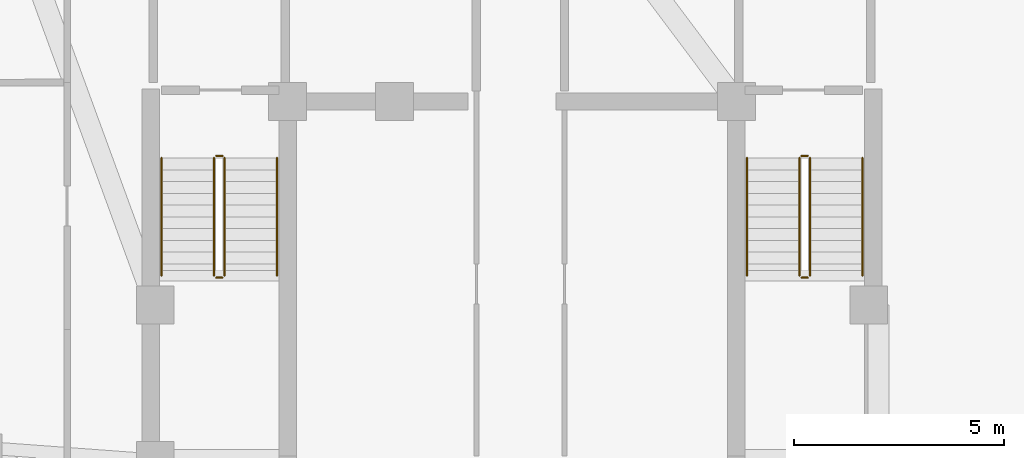
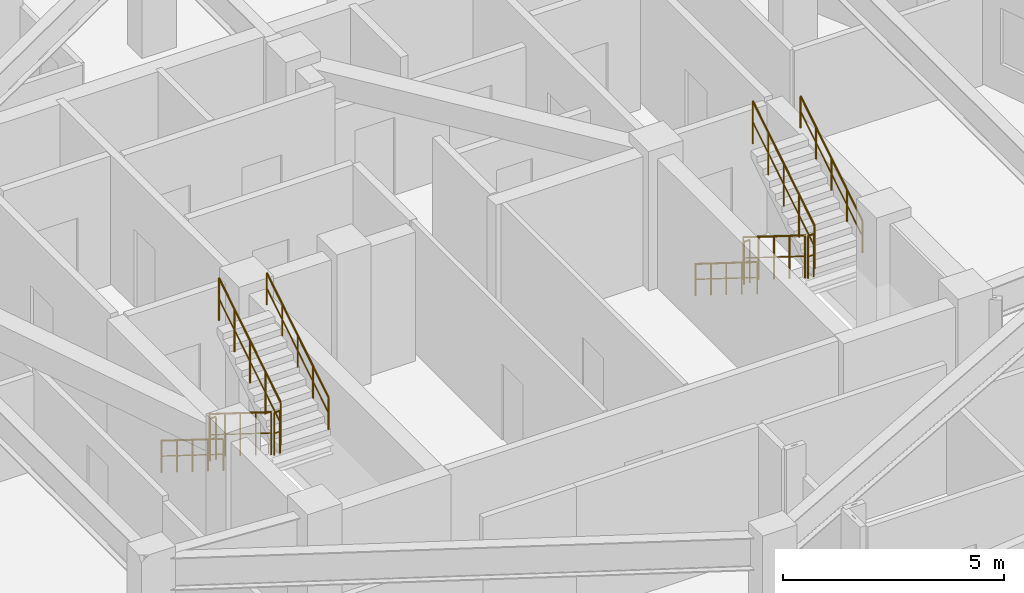
# One storey, part 9 of 9: 12 railings.
"""IFC4 building model written with IfcOpenShell, lengths in metres."""

import ifcopenshell
import ifcopenshell.guid

model = None  # the IFC model being written
_history = None  # IfcOwnerHistory: only IFC2X3 demands one
_inside = {}  # id of a spatial element -> (the spatial element, [elements in it])
_under = {}  # id of a project, library or spatial element -> (it, [spatial elements below it])
_declared = {}  # id of a project -> (the project, [libraries it declares])
_typed = {}  # id of a type object -> (the type object, [elements of that type])
_made_of = {}  # id of a material, layer set ... -> (it, [elements and type objects made of it])


def new_model(schema):
    """Start an empty IFC model of exactly this schema.

    Asked for "IFC4X3", IfcOpenShell would pick the latest addendum, in which some entities
    have other attributes; the version numbers below select the first issue.
    IFC2X3 requires an IfcOwnerHistory on every rooted entity: one is made here for all.
    """
    global model, _history
    if schema == "IFC4X3":
        model = ifcopenshell.file(schema_version=(4, 3, 0, 0))
    else:
        model = ifcopenshell.file(schema=schema)
    _inside.clear()
    _under.clear()
    _declared.clear()
    _typed.clear()
    _made_of.clear()
    _history = None
    if model.schema == "IFC2X3":
        org = make("IfcOrganization", Name="unknown")
        user = make(
            "IfcPersonAndOrganization",
            ThePerson=make("IfcPerson", FamilyName="unknown"),
            TheOrganization=org,
        )
        app = make(
            "IfcApplication",
            ApplicationDeveloper=org,
            Version="unknown",
            ApplicationFullName="unknown",
            ApplicationIdentifier="unknown",
        )
        _history = make(
            "IfcOwnerHistory",
            OwningUser=user,
            OwningApplication=app,
            ChangeAction="ADDED",
            CreationDate=0,
        )
    return model


def make(cls, **values):
    """One entity of the class cls with the attributes given. An attribute that is None is left unset."""
    return model.create_entity(
        cls, **{name: value for name, value in values.items() if value is not None}
    )


def rooted(cls, **values):
    """An entity with a GlobalId (a new one), such as an element, a storey or a relation."""
    return make(cls, GlobalId=ifcopenshell.guid.new(), OwnerHistory=_history, **values)


def si_unit(unit_type, name, prefix=None):
    """IfcSIUnit, for example si_unit("LENGTHUNIT", "METRE", prefix="MILLI")."""
    return make("IfcSIUnit", UnitType=unit_type, Prefix=prefix, Name=name)


def assignment(units):
    """IfcUnitAssignment: the units of a project."""
    return None if units is None else make("IfcUnitAssignment", Units=units)


def point(xyz):
    """IfcCartesianPoint."""
    return None if xyz is None else make("IfcCartesianPoint", Coordinates=xyz)


def direction(xyz):
    """IfcDirection."""
    return None if xyz is None else make("IfcDirection", DirectionRatios=xyz)


def frame(location, z_axis=None, x_axis=None):
    """IfcAxis2Placement3D, a coordinate frame: its origin and axes. An axis left out is left unset."""
    return make(
        "IfcAxis2Placement3D",
        Location=point(location),
        Axis=direction(z_axis),
        RefDirection=direction(x_axis),
    )


def frame_2d(location, x_axis=None):
    """IfcAxis2Placement2D, a coordinate frame in the plane: its origin and x axis."""
    return make(
        "IfcAxis2Placement2D", Location=point(location), RefDirection=direction(x_axis)
    )


def origin():
    """The frame at (0, 0, 0) with its axes left unset."""
    return frame((0.0, 0.0, 0.0))


def origin_2d():
    """The frame at (0, 0) in the plane with its x axis left unset."""
    return frame_2d((0.0, 0.0))


def place(relative_to, where):
    """IfcLocalPlacement: puts the frame where relative to a parent placement (None: the world)."""
    return make(
        "IfcLocalPlacement", PlacementRelTo=relative_to, RelativePlacement=where
    )


def context(
    kind, dimensions, precision=None, world=None, true_north=None, identifier=None
):
    """IfcGeometricRepresentationContext, for example the 3D "Model" context."""
    return make(
        "IfcGeometricRepresentationContext",
        ContextIdentifier=identifier,
        ContextType=kind,
        CoordinateSpaceDimension=dimensions,
        Precision=precision,
        WorldCoordinateSystem=world,
        TrueNorth=true_north,
    )


def subcontext(parent, identifier, kind, view, scale=None):
    """IfcGeometricRepresentationSubContext, for example "Body" below "Model"."""
    return make(
        "IfcGeometricRepresentationSubContext",
        ContextIdentifier=identifier,
        ContextType=kind,
        ParentContext=parent,
        TargetScale=scale,
        TargetView=view,
    )


def project(units=None, contexts=None):
    """IfcProject with its units and contexts."""
    return rooted(
        "IfcProject",
        Name="project",
        RepresentationContexts=contexts,
        UnitsInContext=assignment(units),
    )


def spatial(cls, under=None, at=None, **own):
    """A site, building, storey or space (cls), placed at a placement, below another one or the project."""
    s = rooted(cls, ObjectPlacement=at, **own)
    if under is not None:
        _under.setdefault(under.id(), (under, []))[1].append(s)
    return s


def profile(cls, at=None, kind="AREA", **sizes):
    """A parametric profile (cls). Its sizes go by their IFC names, for example OverallWidth=200.0."""
    return make(cls, ProfileType=kind, Position=at, **sizes)


def circle(**sizes):
    """IfcCircleProfileDef."""
    return profile("IfcCircleProfileDef", **sizes)


def extrude(swept, where, along, depth):
    """IfcExtrudedAreaSolid: the profile swept, set in the frame where, extruded along a direction by depth."""
    return make(
        "IfcExtrudedAreaSolid",
        SweptArea=swept,
        Position=where,
        ExtrudedDirection=direction(along),
        Depth=depth,
    )


def shape(context_of_items, identifier, shape_type, items):
    """IfcShapeRepresentation: the items that make up one representation, for example the "Body"."""
    return make(
        "IfcShapeRepresentation",
        ContextOfItems=context_of_items,
        RepresentationIdentifier=identifier,
        RepresentationType=shape_type,
        Items=items,
    )


def material(Name=None, Category=None):
    """IfcMaterial."""
    return make("IfcMaterial", Name=Name, Category=Category)


def made_of(thing, what):
    """Note that an element or type object is made of a material, layer set ...; save() writes the relation."""
    if what is not None:
        _made_of.setdefault(what.id(), (what, []))[1].append(thing)
    return thing


def type_object(cls, material=None, **own):
    """A type object (cls), such as IfcWallType, which elements share."""
    return made_of(rooted(cls, **own), material)


def element(
    cls,
    number,
    at=None,
    inside=None,
    cuts=None,
    type_object=None,
    material=None,
    context=None,
    identifier="Body",
    shape_type=None,
    held_by="IfcProductDefinitionShape",
    body=None,
    shapes=None,
    **own,
):
    """One element of the class cls, such as IfcWall. Its Tag is "e" and its number.

    at: its placement. inside: the storey or other place that contains it. cuts: it is an
    opening in that element (IfcRelVoidsElement). A single representation is given by context,
    identifier, shape_type and body (its items); several are given by shapes. held_by: the class
    of the entity that holds the representations. save() writes the other relations.
    """
    e = rooted(cls, Tag="e%d" % number, ObjectPlacement=at, **own)
    if body is not None:
        shapes = [shape(context, identifier, shape_type, body)]
    if shapes is not None:
        e.Representation = make(held_by, Representations=shapes)
    if inside is not None:
        _inside.setdefault(inside.id(), (inside, []))[1].append(e)
    if cuts is not None:
        rooted(
            "IfcRelVoidsElement", RelatingBuildingElement=cuts, RelatedOpeningElement=e
        )
    if type_object is not None:
        _typed.setdefault(type_object.id(), (type_object, []))[1].append(e)
    return made_of(e, material)


def aggregate(whole, parts):
    """IfcRelAggregates: a whole, such as a stair, and the parts it consists of."""
    return rooted("IfcRelAggregates", RelatingObject=whole, RelatedObjects=parts)


def save(model, path):
    """Write the relations noted so far, then the file.

    IfcRelAggregates (storeys below a building ...), IfcRelContainedInSpatialStructure (elements
    in a storey), IfcRelDefinesByType, IfcRelAssociatesMaterial and IfcRelDeclares: one each for
    every whole, place, type object, material and project.
    """
    for whole, parts in _under.values():
        aggregate(whole, parts)
    for where, things in _inside.values():
        rooted(
            "IfcRelContainedInSpatialStructure",
            RelatedElements=things,
            RelatingStructure=where,
        )
    for kind, things in _typed.values():
        rooted("IfcRelDefinesByType", RelatedObjects=things, RelatingType=kind)
    for what, things in _made_of.values():
        rooted("IfcRelAssociatesMaterial", RelatedObjects=things, RelatingMaterial=what)
    for by, libraries in _declared.values():
        rooted("IfcRelDeclares", RelatingContext=by, RelatedDefinitions=libraries)
    model.write(path)


model = new_model("IFC4")

# Units and contexts
model_context = context("Model", 3, precision=1e-05, world=origin(), true_north=direction((0.0, 1.0)))
body_context = subcontext(model_context, "Body", "Model", "MODEL_VIEW")
ifc_project = project(units=[si_unit("LENGTHUNIT", "METRE"), si_unit("AREAUNIT", "SQUARE_METRE"), si_unit("VOLUMEUNIT", "CUBIC_METRE"), si_unit("PLANEANGLEUNIT", "RADIAN"), si_unit("MASSUNIT", "GRAM", prefix="KILO")], contexts=[model_context])

# Site, building, storey
site_placement = place(None, origin())
site = spatial("IfcSite", under=ifc_project, at=site_placement, CompositionType="ELEMENT")
building_placement = place(site_placement, origin())
building = spatial("IfcBuilding", under=site, at=building_placement, Name="Miruveldt Soraemaru", CompositionType="ELEMENT")
storey_placement = place(building_placement, frame((0.0, 0.0, 275.10009765625)))
storey = spatial("IfcBuildingStorey", under=building, at=storey_placement, Name="L75", CompositionType="ELEMENT", Elevation=275.10009765625)

# Railings
ifc_material = material(Name="Steel S355 (355 MPa)", Category="steel")
railing_type_1 = type_object("IfcRailingType", Name="RAIL-HR-900", PredefinedType="HANDRAIL", material=ifc_material)
railing_1_placement = place(storey_placement, frame((35.64990234375, 42.699951171875, 0.1748046875)))
element("IfcRailing", 1, at=railing_1_placement, inside=storey, type_object=railing_type_1, Name="L75 ST-1 stair handrail 1", PredefinedType="HANDRAIL", context=body_context, shape_type="SweptSolid", body=[
    extrude(circle(Radius=0.02392578125, at=origin_2d()), frame((0.0, 0.0, 0.8759765625), z_axis=(0.0, -0.848002457836, 0.529992293815), x_axis=(1.0, 0.0, 0.0)), (0.0, 0.0, 1.0), 3.302001953125),
    extrude(circle(Radius=0.01611328125, at=origin_2d()), frame((0.0, 0.0, 0.449951171875), z_axis=(0.0, -0.848002457836, 0.529992293815), x_axis=(1.0, 0.0, 0.0)), (0.0, 0.0, 1.0), 3.302001953125),
    extrude(circle(Radius=0.02099609375, at=origin_2d()), origin(), (0.0, 0.0, 1.0), 0.851806640625),
    extrude(circle(Radius=0.02099609375, at=origin_2d()), frame((0.0, -0.699951171875, 0.4375)), (0.0, 0.0, 1.0), 0.851806640625),
    extrude(circle(Radius=0.02099609375, at=origin_2d()), frame((0.0, -1.39990234375, 0.875)), (0.0, 0.0, 1.0), 0.851806640625),
    extrude(circle(Radius=0.02099609375, at=origin_2d()), frame((0.0, -2.10009765625, 1.3125)), (0.0, 0.0, 1.0), 0.851806640625),
    extrude(circle(Radius=0.02099609375, at=origin_2d()), frame((0.0, -2.800048828125, 1.75)), (0.0, 0.0, 1.0), 0.851806640625),
])
railing_2_placement = place(storey_placement, frame((38.39990234375, 39.89990234375, 2.099853515625)))
element("IfcRailing", 2, at=railing_2_placement, inside=storey, type_object=railing_type_1, Name="L75 ST-1 stair handrail 2", PredefinedType="HANDRAIL", context=body_context, shape_type="SweptSolid", body=[
    extrude(circle(Radius=0.02392578125, at=origin_2d()), frame((0.0, 0.0, 0.8759765625), z_axis=(0.0, 0.848002457836, 0.529992293815), x_axis=(-1.0, 0.0, 0.0)), (0.0, 0.0, 1.0), 3.302001953125),
    extrude(circle(Radius=0.01611328125, at=origin_2d()), frame((0.0, 0.0, 0.449951171875), z_axis=(0.0, 0.848002457836, 0.529992293815), x_axis=(-1.0, 0.0, 0.0)), (0.0, 0.0, 1.0), 3.302001953125),
    extrude(circle(Radius=0.02099609375, at=origin_2d()), origin(), (0.0, 0.0, 1.0), 0.851806640625),
    extrude(circle(Radius=0.02099609375, at=origin_2d()), frame((0.0, 0.699951171875, 0.4375)), (0.0, 0.0, 1.0), 0.851806640625),
    extrude(circle(Radius=0.02099609375, at=origin_2d()), frame((0.0, 1.39990234375, 0.875)), (0.0, 0.0, 1.0), 0.851806640625),
    extrude(circle(Radius=0.02099609375, at=origin_2d()), frame((0.0, 2.10009765625, 1.3125)), (0.0, 0.0, 1.0), 0.851806640625),
    extrude(circle(Radius=0.02099609375, at=origin_2d()), frame((0.0, 2.800048828125, 1.75)), (0.0, 0.0, 1.0), 0.851806640625),
])
railing_3_placement = place(storey_placement, frame((49.60009765625, 42.699951171875, 0.1748046875)))
element("IfcRailing", 3, at=railing_3_placement, inside=storey, type_object=railing_type_1, Name="L75 ST-2 stair handrail 1", PredefinedType="HANDRAIL", context=body_context, shape_type="SweptSolid", body=[
    extrude(circle(Radius=0.02392578125, at=origin_2d()), frame((0.0, 0.0, 0.8759765625), z_axis=(0.0, -0.848002457836, 0.529992293815), x_axis=(1.0, 0.0, 0.0)), (0.0, 0.0, 1.0), 3.302001953125),
    extrude(circle(Radius=0.01611328125, at=origin_2d()), frame((0.0, 0.0, 0.449951171875), z_axis=(0.0, -0.848002457836, 0.529992293815), x_axis=(1.0, 0.0, 0.0)), (0.0, 0.0, 1.0), 3.302001953125),
    extrude(circle(Radius=0.02099609375, at=origin_2d()), origin(), (0.0, 0.0, 1.0), 0.851806640625),
    extrude(circle(Radius=0.02099609375, at=origin_2d()), frame((0.0, -0.699951171875, 0.4375)), (0.0, 0.0, 1.0), 0.851806640625),
    extrude(circle(Radius=0.02099609375, at=origin_2d()), frame((0.0, -1.39990234375, 0.875)), (0.0, 0.0, 1.0), 0.851806640625),
    extrude(circle(Radius=0.02099609375, at=origin_2d()), frame((0.0, -2.10009765625, 1.3125)), (0.0, 0.0, 1.0), 0.851806640625),
    extrude(circle(Radius=0.02099609375, at=origin_2d()), frame((0.0, -2.800048828125, 1.75)), (0.0, 0.0, 1.0), 0.851806640625),
])
railing_4_placement = place(storey_placement, frame((52.35009765625, 39.89990234375, 2.099853515625)))
element("IfcRailing", 4, at=railing_4_placement, inside=storey, type_object=railing_type_1, Name="L75 ST-2 stair handrail 2", PredefinedType="HANDRAIL", context=body_context, shape_type="SweptSolid", body=[
    extrude(circle(Radius=0.02392578125, at=origin_2d()), frame((0.0, 0.0, 0.8759765625), z_axis=(0.0, 0.848002457836, 0.529992293815), x_axis=(-1.0, 0.0, 0.0)), (0.0, 0.0, 1.0), 3.302001953125),
    extrude(circle(Radius=0.01611328125, at=origin_2d()), frame((0.0, 0.0, 0.449951171875), z_axis=(0.0, 0.848002457836, 0.529992293815), x_axis=(-1.0, 0.0, 0.0)), (0.0, 0.0, 1.0), 3.302001953125),
    extrude(circle(Radius=0.02099609375, at=origin_2d()), origin(), (0.0, 0.0, 1.0), 0.851806640625),
    extrude(circle(Radius=0.02099609375, at=origin_2d()), frame((0.0, 0.699951171875, 0.4375)), (0.0, 0.0, 1.0), 0.851806640625),
    extrude(circle(Radius=0.02099609375, at=origin_2d()), frame((0.0, 1.39990234375, 0.875)), (0.0, 0.0, 1.0), 0.851806640625),
    extrude(circle(Radius=0.02099609375, at=origin_2d()), frame((0.0, 2.10009765625, 1.3125)), (0.0, 0.0, 1.0), 0.851806640625),
    extrude(circle(Radius=0.02099609375, at=origin_2d()), frame((0.0, 2.800048828125, 1.75)), (0.0, 0.0, 1.0), 0.851806640625),
])
railing_type_2 = type_object("IfcRailingType", Name="RAIL-STGUARD-1200", PredefinedType="GUARDRAIL", material=ifc_material)
railing_5_placement = place(storey_placement, frame((36.89990234375, 42.699951171875, 0.1748046875)))
element("IfcRailing", 5, at=railing_5_placement, inside=storey, type_object=railing_type_2, Name="L75 ST-1 stair guard 1", PredefinedType="GUARDRAIL", context=body_context, shape_type="SweptSolid", body=[
    extrude(circle(Radius=0.02392578125, at=origin_2d()), frame((0.0, 0.0, 1.17578125), z_axis=(0.0, -0.848002457836, 0.529992293815), x_axis=(1.0, 0.0, 0.0)), (0.0, 0.0, 1.0), 3.302001953125),
    extrude(circle(Radius=0.01611328125, at=origin_2d()), frame((0.0, 0.0, 0.60009765625), z_axis=(0.0, -0.848002457836, 0.529992293815), x_axis=(1.0, 0.0, 0.0)), (0.0, 0.0, 1.0), 3.302001953125),
    extrude(circle(Radius=0.02099609375, at=origin_2d()), origin(), (0.0, 0.0, 1.0), 1.15185546875),
    extrude(circle(Radius=0.02099609375, at=origin_2d()), frame((0.0, -0.699951171875, 0.4375)), (0.0, 0.0, 1.0), 1.15185546875),
    extrude(circle(Radius=0.02099609375, at=origin_2d()), frame((0.0, -1.39990234375, 0.875)), (0.0, 0.0, 1.0), 1.15185546875),
    extrude(circle(Radius=0.02099609375, at=origin_2d()), frame((0.0, -2.10009765625, 1.3125)), (0.0, 0.0, 1.0), 1.15185546875),
    extrude(circle(Radius=0.02099609375, at=origin_2d()), frame((0.0, -2.800048828125, 1.75)), (0.0, 0.0, 1.0), 1.15185546875),
])
railing_6_placement = place(storey_placement, frame((36.949951171875, 39.85009765625, 1.9248046875)))
element("IfcRailing", 6, at=railing_6_placement, inside=storey, type_object=railing_type_2, Name="L75 ST-1 stair guard 2", PredefinedType="GUARDRAIL", context=body_context, shape_type="SweptSolid", body=[
    extrude(circle(Radius=0.02392578125, at=origin_2d()), frame((0.0, 0.0, 1.17578125), z_axis=(1.0, 0.0, 0.0), x_axis=(0.0, 1.0, 0.0)), (0.0, 0.0, 1.0), 0.150146484375),
    extrude(circle(Radius=0.01611328125, at=origin_2d()), frame((0.0, 0.0, 0.60009765625), z_axis=(1.0, 0.0, 0.0), x_axis=(0.0, 1.0, 0.0)), (0.0, 0.0, 1.0), 0.150146484375),
    extrude(circle(Radius=0.02099609375, at=origin_2d()), origin(), (0.0, 0.0, 1.0), 1.15185546875),
    extrude(circle(Radius=0.02099609375, at=origin_2d()), frame((0.150146484375, 0.0, 0.0)), (0.0, 0.0, 1.0), 1.15185546875),
])
railing_7_placement = place(storey_placement, frame((37.14990234375, 39.89990234375, 2.099853515625)))
element("IfcRailing", 7, at=railing_7_placement, inside=storey, type_object=railing_type_2, Name="L75 ST-1 stair guard 3", PredefinedType="GUARDRAIL", context=body_context, shape_type="SweptSolid", body=[
    extrude(circle(Radius=0.02392578125, at=origin_2d()), frame((0.0, 0.0, 1.17578125), z_axis=(0.0, 0.848002457836, 0.529992293815), x_axis=(-1.0, 0.0, 0.0)), (0.0, 0.0, 1.0), 3.302001953125),
    extrude(circle(Radius=0.01611328125, at=origin_2d()), frame((0.0, 0.0, 0.60009765625), z_axis=(0.0, 0.848002457836, 0.529992293815), x_axis=(-1.0, 0.0, 0.0)), (0.0, 0.0, 1.0), 3.302001953125),
    extrude(circle(Radius=0.02099609375, at=origin_2d()), origin(), (0.0, 0.0, 1.0), 1.15185546875),
    extrude(circle(Radius=0.02099609375, at=origin_2d()), frame((0.0, 0.699951171875, 0.4375)), (0.0, 0.0, 1.0), 1.15185546875),
    extrude(circle(Radius=0.02099609375, at=origin_2d()), frame((0.0, 1.39990234375, 0.875)), (0.0, 0.0, 1.0), 1.15185546875),
    extrude(circle(Radius=0.02099609375, at=origin_2d()), frame((0.0, 2.10009765625, 1.3125)), (0.0, 0.0, 1.0), 1.15185546875),
    extrude(circle(Radius=0.02099609375, at=origin_2d()), frame((0.0, 2.800048828125, 1.75)), (0.0, 0.0, 1.0), 1.15185546875),
])
railing_8_placement = place(storey_placement, frame((36.949951171875, 42.75, 0.0)))
element("IfcRailing", 8, at=railing_8_placement, inside=storey, type_object=railing_type_2, Name="L75 ST-1 stair guard 4", PredefinedType="GUARDRAIL", context=body_context, shape_type="SweptSolid", body=[
    extrude(circle(Radius=0.02392578125, at=origin_2d()), frame((0.0, 0.0, 1.17578125), z_axis=(1.0, 0.0, 0.0), x_axis=(0.0, 1.0, 0.0)), (0.0, 0.0, 1.0), 0.150146484375),
    extrude(circle(Radius=0.01611328125, at=origin_2d()), frame((0.0, 0.0, 0.60009765625), z_axis=(1.0, 0.0, 0.0), x_axis=(0.0, 1.0, 0.0)), (0.0, 0.0, 1.0), 0.150146484375),
    extrude(circle(Radius=0.02099609375, at=origin_2d()), origin(), (0.0, 0.0, 1.0), 1.15185546875),
    extrude(circle(Radius=0.02099609375, at=origin_2d()), frame((0.150146484375, 0.0, 0.0)), (0.0, 0.0, 1.0), 1.15185546875),
])
railing_9_placement = place(storey_placement, frame((50.85009765625, 42.699951171875, 0.1748046875)))
element("IfcRailing", 9, at=railing_9_placement, inside=storey, type_object=railing_type_2, Name="L75 ST-2 stair guard 1", PredefinedType="GUARDRAIL", context=body_context, shape_type="SweptSolid", body=[
    extrude(circle(Radius=0.02392578125, at=origin_2d()), frame((0.0, 0.0, 1.17578125), z_axis=(0.0, -0.848002457836, 0.529992293815), x_axis=(1.0, 0.0, 0.0)), (0.0, 0.0, 1.0), 3.302001953125),
    extrude(circle(Radius=0.01611328125, at=origin_2d()), frame((0.0, 0.0, 0.60009765625), z_axis=(0.0, -0.848002457836, 0.529992293815), x_axis=(1.0, 0.0, 0.0)), (0.0, 0.0, 1.0), 3.302001953125),
    extrude(circle(Radius=0.02099609375, at=origin_2d()), origin(), (0.0, 0.0, 1.0), 1.15185546875),
    extrude(circle(Radius=0.02099609375, at=origin_2d()), frame((0.0, -0.699951171875, 0.4375)), (0.0, 0.0, 1.0), 1.15185546875),
    extrude(circle(Radius=0.02099609375, at=origin_2d()), frame((0.0, -1.39990234375, 0.875)), (0.0, 0.0, 1.0), 1.15185546875),
    extrude(circle(Radius=0.02099609375, at=origin_2d()), frame((0.0, -2.10009765625, 1.3125)), (0.0, 0.0, 1.0), 1.15185546875),
    extrude(circle(Radius=0.02099609375, at=origin_2d()), frame((0.0, -2.800048828125, 1.75)), (0.0, 0.0, 1.0), 1.15185546875),
])
railing_10_placement = place(storey_placement, frame((50.89990234375, 39.85009765625, 1.9248046875)))
element("IfcRailing", 10, at=railing_10_placement, inside=storey, type_object=railing_type_2, Name="L75 ST-2 stair guard 2", PredefinedType="GUARDRAIL", context=body_context, shape_type="SweptSolid", body=[
    extrude(circle(Radius=0.02392578125, at=origin_2d()), frame((0.0, 0.0, 1.17578125), z_axis=(1.0, 0.0, 0.0), x_axis=(0.0, 1.0, 0.0)), (0.0, 0.0, 1.0), 0.150146484375),
    extrude(circle(Radius=0.01611328125, at=origin_2d()), frame((0.0, 0.0, 0.60009765625), z_axis=(1.0, 0.0, 0.0), x_axis=(0.0, 1.0, 0.0)), (0.0, 0.0, 1.0), 0.150146484375),
    extrude(circle(Radius=0.02099609375, at=origin_2d()), origin(), (0.0, 0.0, 1.0), 1.15185546875),
    extrude(circle(Radius=0.02099609375, at=origin_2d()), frame((0.150146484375, 0.0, 0.0)), (0.0, 0.0, 1.0), 1.15185546875),
])
railing_11_placement = place(storey_placement, frame((51.10009765625, 39.89990234375, 2.099853515625)))
element("IfcRailing", 11, at=railing_11_placement, inside=storey, type_object=railing_type_2, Name="L75 ST-2 stair guard 3", PredefinedType="GUARDRAIL", context=body_context, shape_type="SweptSolid", body=[
    extrude(circle(Radius=0.02392578125, at=origin_2d()), frame((0.0, 0.0, 1.17578125), z_axis=(0.0, 0.848002457836, 0.529992293815), x_axis=(-1.0, 0.0, 0.0)), (0.0, 0.0, 1.0), 3.302001953125),
    extrude(circle(Radius=0.01611328125, at=origin_2d()), frame((0.0, 0.0, 0.60009765625), z_axis=(0.0, 0.848002457836, 0.529992293815), x_axis=(-1.0, 0.0, 0.0)), (0.0, 0.0, 1.0), 3.302001953125),
    extrude(circle(Radius=0.02099609375, at=origin_2d()), origin(), (0.0, 0.0, 1.0), 1.15185546875),
    extrude(circle(Radius=0.02099609375, at=origin_2d()), frame((0.0, 0.699951171875, 0.4375)), (0.0, 0.0, 1.0), 1.15185546875),
    extrude(circle(Radius=0.02099609375, at=origin_2d()), frame((0.0, 1.39990234375, 0.875)), (0.0, 0.0, 1.0), 1.15185546875),
    extrude(circle(Radius=0.02099609375, at=origin_2d()), frame((0.0, 2.10009765625, 1.3125)), (0.0, 0.0, 1.0), 1.15185546875),
    extrude(circle(Radius=0.02099609375, at=origin_2d()), frame((0.0, 2.800048828125, 1.75)), (0.0, 0.0, 1.0), 1.15185546875),
])
railing_12_placement = place(storey_placement, frame((50.89990234375, 42.75, 0.0)))
element("IfcRailing", 12, at=railing_12_placement, inside=storey, type_object=railing_type_2, Name="L75 ST-2 stair guard 4", PredefinedType="GUARDRAIL", context=body_context, shape_type="SweptSolid", body=[
    extrude(circle(Radius=0.02392578125, at=origin_2d()), frame((0.0, 0.0, 1.17578125), z_axis=(1.0, 0.0, 0.0), x_axis=(0.0, 1.0, 0.0)), (0.0, 0.0, 1.0), 0.150146484375),
    extrude(circle(Radius=0.01611328125, at=origin_2d()), frame((0.0, 0.0, 0.60009765625), z_axis=(1.0, 0.0, 0.0), x_axis=(0.0, 1.0, 0.0)), (0.0, 0.0, 1.0), 0.150146484375),
    extrude(circle(Radius=0.02099609375, at=origin_2d()), origin(), (0.0, 0.0, 1.0), 1.15185546875),
    extrude(circle(Radius=0.02099609375, at=origin_2d()), frame((0.150146484375, 0.0, 0.0)), (0.0, 0.0, 1.0), 1.15185546875),
])

save(model, "model.ifc")
